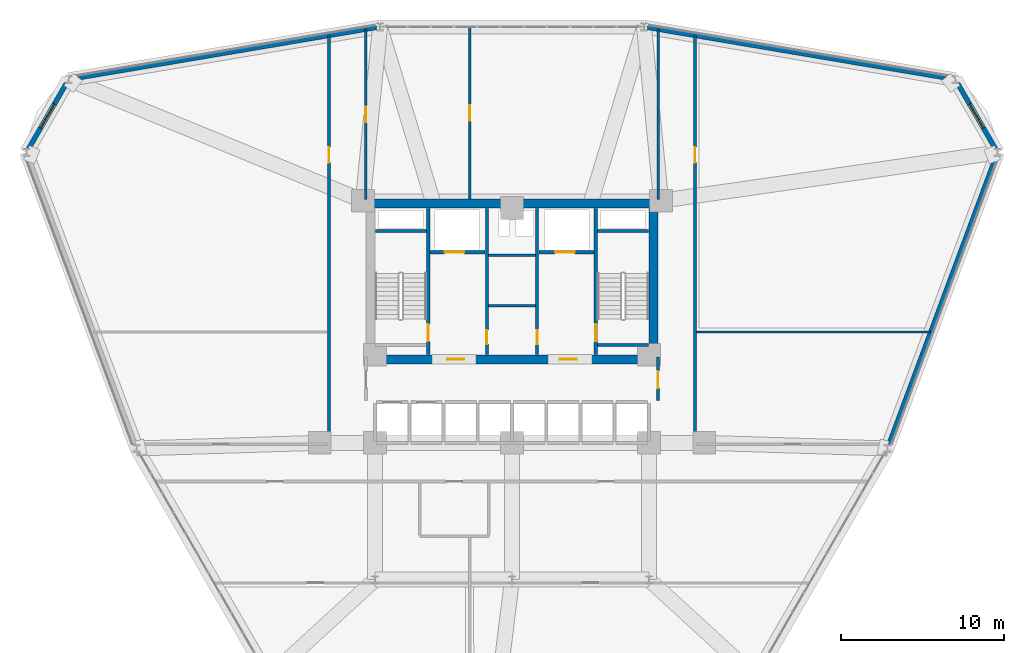
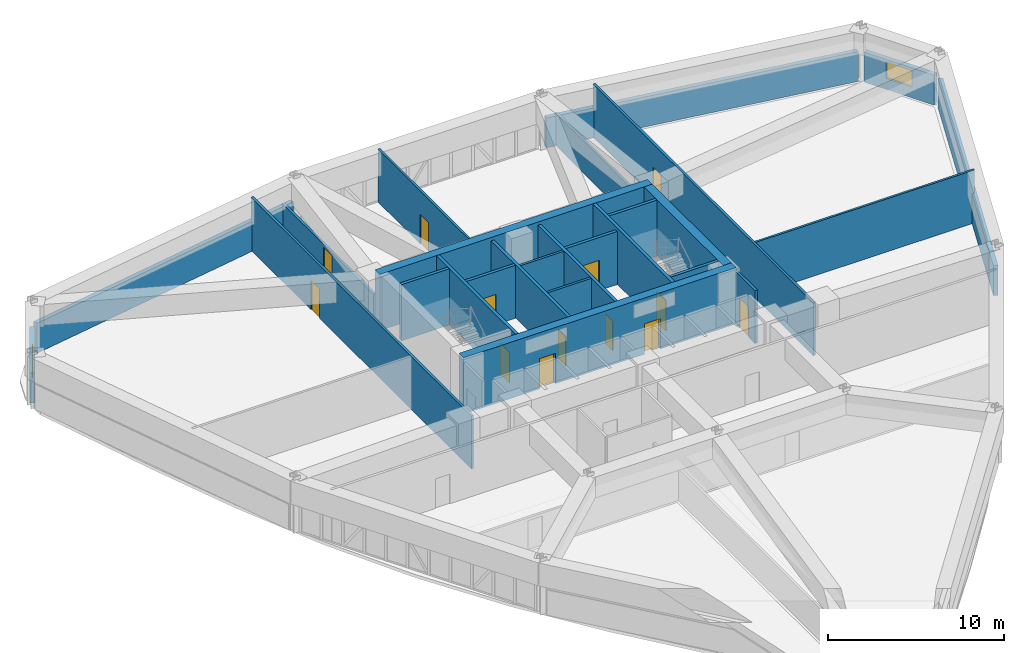
# One storey, part 16 of 20: 26 walls, 13 doors, 2 windows, 15 openings.
"""IFC4 building model written with IfcOpenShell, lengths in metres."""

from ifc_helpers import new_model, si_unit, derived_unit, direction, frame, frame_2d, origin, place, context, subcontext, project, spatial, rectangle, extrude, material, layer, layer_set, type_object, element, fill, save


model = new_model("IFC4")

# Units and contexts
model_context = context("Model", 3, precision=1e-05, world=origin(), true_north=direction((0.0, 1.0)))
body_context = subcontext(model_context, "Body", "Model", "MODEL_VIEW")
ifc_project = project(units=[si_unit("LENGTHUNIT", "METRE"), si_unit("AREAUNIT", "SQUARE_METRE"), si_unit("VOLUMEUNIT", "CUBIC_METRE"), si_unit("PLANEANGLEUNIT", "RADIAN"), si_unit("MASSUNIT", "GRAM", prefix="KILO"), derived_unit("THERMALTRANSMITTANCEUNIT", [(si_unit("POWERUNIT", "WATT"), 1), (si_unit("LENGTHUNIT", "METRE"), -2), (si_unit("THERMODYNAMICTEMPERATUREUNIT", "KELVIN"), -1)])], contexts=[model_context])

# Site, building, storey
site_placement = place(None, origin())
site = spatial("IfcSite", under=ifc_project, at=site_placement, CompositionType="ELEMENT")
building_placement = place(site_placement, origin())
building = spatial("IfcBuilding", under=site, at=building_placement, Name="Korsvarv Bourse and Concert Hall", CompositionType="ELEMENT")
storey_placement = place(building_placement, frame((0.0, 0.0, 31.800048828125)))
storey = spatial("IfcBuildingStorey", under=building, at=storey_placement, Name="L07", CompositionType="ELEMENT", Elevation=31.800048828125)

# Wall, opening, door
ifc_material_1 = material(Name="Concrete C50/60", Category="concrete")
ifc_layer_1 = layer(ifc_material_1, 0.3798828125)
ifc_layer_set_1 = layer_set([ifc_layer_1], Name="Concrete C50/60")
wall_type_1 = type_object("IfcWallType", Name="WL-CORE-380", PredefinedType="SHEAR", material=ifc_layer_set_1)
wall_1_placement = place(storey_placement, frame((30.860107421875, 37.81005859375, 0.0), z_axis=(0.0, 0.0, 1.0), x_axis=(0.0, 1.0, 0.0)))
wall_1 = element("IfcWall", 1, at=wall_1_placement, inside=storey, type_object=wall_type_1, Name="L07 stair shaft structural wall W-L07-ST1-E", PredefinedType="SHEAR", context=body_context, shape_type="SweptSolid", body=[
    extrude(rectangle(XDim=8.97998046875, YDim=0.199951171875, at=frame_2d((4.489990234375, 0.0))), origin(), (0.0, 0.0, 1.0), 3.89990234375),
])
opening_1_placement = place(wall_1_placement, frame((0.820068359375, 0.0, 0.0)))
opening_1 = element("IfcOpeningElement", 2, at=opening_1_placement, cuts=wall_1, Name="Opening D-01", PredefinedType="OPENING", context=body_context, shape_type="SweptSolid", body=[
    extrude(rectangle(XDim=1.050048828125, YDim=2.10009765625, at=frame_2d((0.52490234375, 1.050048828125))), frame((0.0, 0.10986328125, 0.0), z_axis=(0.0, -1.0, 0.0), x_axis=(1.0, 0.0, 0.0)), (0.0, 0.0, 1.0), 0.219970703125),
])
ifc_material_2 = material(Name="Steel S355 fire door", Category="steel")
door_type_1 = type_object("IfcDoorType", Name="DR-FD60", OperationType="NOTDEFINED", PredefinedType="DOOR", material=ifc_material_2)
door_1_placement = place(opening_1_placement, origin())
door_1 = element("IfcDoor", 3, at=door_1_placement, inside=storey, type_object=door_type_1, Name="L07 interior door DR-L07-ST1", OperationType="SINGLE_SWING_LEFT", OverallHeight=2.10009765625, OverallWidth=1.050048828125, PredefinedType="DOOR", context=body_context, shape_type="SweptSolid", body=[
    extrude(rectangle(XDim=1.050048828125, YDim=2.10009765625, at=frame_2d((0.52490234375, 1.050048828125))), frame((0.0, 0.02490234375, 0.0), z_axis=(0.0, -1.0, 0.0), x_axis=(1.0, 0.0, 0.0)), (0.0, 0.0, 1.0), 0.050048828125),
])
fill(opening_1, door_1)

# Wall
wall_2_placement = place(storey_placement, frame((27.610107421875, 45.39990234375, 0.0), z_axis=(0.0, 0.0, 1.0), x_axis=(1.0, 0.0, 0.0)))
element("IfcWall", 4, at=wall_2_placement, inside=storey, type_object=wall_type_1, Name="L07 stair shaft structural wall W-L07-ST1-N", PredefinedType="SHEAR", context=body_context, shape_type="SweptSolid", body=[
    extrude(rectangle(XDim=3.139892578125, YDim=0.199951171875, at=frame_2d((1.56982421875, 0.0))), origin(), (0.0, 0.0, 1.0), 3.89990234375),
])

# Wall, opening, door
wall_3_placement = place(storey_placement, frame((41.139892578125, 37.81005859375, 0.0), z_axis=(0.0, 0.0, 1.0), x_axis=(0.0, 1.0, 0.0)))
wall_3 = element("IfcWall", 5, at=wall_3_placement, inside=storey, type_object=wall_type_1, Name="L07 stair shaft structural wall W-L07-ST2-W", PredefinedType="SHEAR", context=body_context, shape_type="SweptSolid", body=[
    extrude(rectangle(XDim=8.97998046875, YDim=0.199951171875, at=frame_2d((4.489990234375, 0.0))), origin(), (0.0, 0.0, 1.0), 3.89990234375),
])
opening_2_placement = place(wall_3_placement, frame((0.820068359375, 0.0, 0.0)))
opening_2 = element("IfcOpeningElement", 6, at=opening_2_placement, cuts=wall_3, Name="Opening D-01", PredefinedType="OPENING", context=body_context, shape_type="SweptSolid", body=[
    extrude(rectangle(XDim=1.050048828125, YDim=2.10009765625, at=frame_2d((0.52490234375, 1.050048828125))), frame((0.0, 0.10986328125, 0.0), z_axis=(0.0, -1.0, 0.0), x_axis=(1.0, 0.0, 0.0)), (0.0, 0.0, 1.0), 0.219970703125),
])
door_2_placement = place(opening_2_placement, frame((1.050048828125, 0.0, 0.0), z_axis=(0.0, 0.0, 1.0), x_axis=(-1.0, 0.0, 0.0)))
door_2 = element("IfcDoor", 7, at=door_2_placement, inside=storey, type_object=door_type_1, Name="L07 interior door DR-L07-ST2", OperationType="SINGLE_SWING_RIGHT", OverallHeight=2.10009765625, OverallWidth=1.050048828125, PredefinedType="DOOR", context=body_context, shape_type="SweptSolid", body=[
    extrude(rectangle(XDim=1.050048828125, YDim=2.10009765625, at=frame_2d((0.52490234375, 1.050048828125))), frame((0.0, 0.02490234375, 0.0), z_axis=(0.0, -1.0, 0.0), x_axis=(1.0, 0.0, 0.0)), (0.0, 0.0, 1.0), 0.050048828125),
])
fill(opening_2, door_2)

# Walls
for number, where, z_axis, x_axis, name in (
    (8, (41.25, 45.39990234375, 0.0), (0.0, 0.0, 1.0), (1.0, 0.0, 0.0), "L07 stair shaft structural wall W-L07-ST2-N"),
    (9, (41.25, 38.39990234375, 0.0), (0.0, 0.0, 1.0), (1.0, 0.0, 0.0), "L07 stair shaft structural wall W-L07-ST2-S"),
):
    element("IfcWall", number, at=place(storey_placement, frame(where, z_axis=z_axis, x_axis=x_axis)), inside=storey, type_object=wall_type_1, Name=name, PredefinedType="SHEAR", context=body_context, shape_type="SweptSolid", body=[
        extrude(rectangle(XDim=3.139892578125, YDim=0.199951171875, at=frame_2d((1.56982421875, 0.0))), origin(), (0.0, 0.0, 1.0), 3.89990234375),
    ])
ifc_material_3 = material(Name="Concrete C60/75", Category="concrete")
ifc_layer_2 = layer(ifc_material_3, 0.550048828125)
ifc_layer_set_2 = layer_set([ifc_layer_2], Name="Concrete C60/75")
wall_type_2 = type_object("IfcWallType", Name="WL-CORE-550", PredefinedType="SHEAR", material=ifc_layer_set_2)
wall_4_placement = place(storey_placement, frame((27.050048828125, 47.074951171875, 0.0), z_axis=(0.0, 0.0, 1.0), x_axis=(1.0, 0.0, 0.0)))
element("IfcWall", 10, at=wall_4_placement, inside=storey, type_object=wall_type_2, Name="L07 North Core Shear Wall", PredefinedType="SHEAR", context=body_context, shape_type="SweptSolid", body=[
    extrude(rectangle(XDim=17.89990234375, YDim=0.550048828125, at=frame_2d((8.949951171875, 0.0))), origin(), (0.0, 0.0, 1.0), 3.89990234375),
])

# Wall, openings, doors
wall_5_placement = place(storey_placement, frame((27.050048828125, 37.52490234375, 0.0), z_axis=(0.0, 0.0, 1.0), x_axis=(1.0, 0.0, 0.0)))
wall_5 = element("IfcWall", 11, at=wall_5_placement, inside=storey, type_object=wall_type_2, Name="L07 South Core Shear Wall", PredefinedType="SHEAR", context=body_context, shape_type="SweptSolid", body=[
    extrude(rectangle(XDim=17.89990234375, YDim=0.550048828125, at=frame_2d((8.949951171875, 0.0))), origin(), (0.0, 0.0, 1.0), 3.89990234375),
])
opening_3_placement = place(wall_5_placement, frame((4.97509765625, 0.0, 0.0)))
opening_3 = element("IfcOpeningElement", 12, at=opening_3_placement, cuts=wall_5, Name="Opening D-01", PredefinedType="OPENING", context=body_context, shape_type="SweptSolid", body=[
    extrude(rectangle(XDim=1.050048828125, YDim=2.10009765625, at=frame_2d((0.52490234375, 1.050048828125))), frame((0.0, 0.28515625, 0.0), z_axis=(0.0, -1.0, 0.0), x_axis=(1.0, 0.0, 0.0)), (0.0, 0.0, 1.0), 0.570068359375),
])
opening_4_placement = place(wall_5_placement, frame((11.875, 0.0, 0.0)))
opening_4 = element("IfcOpeningElement", 13, at=opening_4_placement, cuts=wall_5, Name="Opening D-01", PredefinedType="OPENING", context=body_context, shape_type="SweptSolid", body=[
    extrude(rectangle(XDim=1.050048828125, YDim=2.10009765625, at=frame_2d((0.52490234375, 1.050048828125))), frame((0.0, 0.28515625, 0.0), z_axis=(0.0, -1.0, 0.0), x_axis=(1.0, 0.0, 0.0)), (0.0, 0.0, 1.0), 0.570068359375),
])
door_3_placement = place(opening_3_placement, frame((1.050048828125, 0.0, 0.0), z_axis=(0.0, 0.0, 1.0), x_axis=(-1.0, 0.0, 0.0)))
door_3 = element("IfcDoor", 14, at=door_3_placement, inside=storey, type_object=door_type_1, Name="L07 firefighting lobby fire door DR-L07-FFLW", OperationType="SINGLE_SWING_RIGHT", OverallHeight=2.10009765625, OverallWidth=1.050048828125, PredefinedType="DOOR", context=body_context, shape_type="SweptSolid", body=[
    extrude(rectangle(XDim=1.050048828125, YDim=2.10009765625, at=frame_2d((0.52490234375, 1.050048828125))), frame((0.0, 0.02490234375, 0.0), z_axis=(0.0, -1.0, 0.0), x_axis=(1.0, 0.0, 0.0)), (0.0, 0.0, 1.0), 0.050048828125),
])
fill(opening_3, door_3)
door_4_placement = place(opening_4_placement, frame((1.050048828125, 0.0, 0.0), z_axis=(0.0, 0.0, 1.0), x_axis=(-1.0, 0.0, 0.0)))
door_4 = element("IfcDoor", 15, at=door_4_placement, inside=storey, type_object=door_type_1, Name="L07 firefighting lobby fire door DR-L07-FFLE", OperationType="SINGLE_SWING_LEFT", OverallHeight=2.10009765625, OverallWidth=1.050048828125, PredefinedType="DOOR", context=body_context, shape_type="SweptSolid", body=[
    extrude(rectangle(XDim=1.050048828125, YDim=2.10009765625, at=frame_2d((0.52490234375, 1.050048828125))), frame((0.0, 0.02490234375, 0.0), z_axis=(0.0, -1.0, 0.0), x_axis=(1.0, 0.0, 0.0)), (0.0, 0.0, 1.0), 0.050048828125),
])
fill(opening_4, door_4)

# Wall
wall_6_placement = place(storey_placement, frame((44.675048828125, 37.800048828125, 0.0), z_axis=(0.0, 0.0, 1.0), x_axis=(0.0, 1.0, 0.0)))
element("IfcWall", 16, at=wall_6_placement, inside=storey, type_object=wall_type_2, Name="L07 East Core Shear Wall", PredefinedType="SHEAR", context=body_context, shape_type="SweptSolid", body=[
    extrude(rectangle(XDim=9.0, YDim=0.550048828125, at=frame_2d((4.5, 0.0))), origin(), (0.0, 0.0, 1.0), 3.89990234375),
])

# Wall, opening, window
ifc_material_4 = material(Name="Precast concrete C45/55 with terracotta rainscreen", Category="concrete")
ifc_layer_3 = layer(ifc_material_4, 0.300048828125)
ifc_layer_set_3 = layer_set([ifc_layer_3], Name="Precast concrete C45/55 with terracotta rainscreen")
wall_type_3 = type_object("IfcWallType", Name="WL-EXT-TC1", PredefinedType="SOLIDWALL", material=ifc_layer_set_3)
wall_7_placement = place(storey_placement, frame((65.64892578125, 50.459228515625, 0.0), z_axis=(0.0, 0.0, 1.0), x_axis=(-0.500022295776, 0.86601253093, 0.0)))
wall_7 = element("IfcWall", 17, at=wall_7_placement, inside=storey, type_object=wall_type_3, Name="L07 terracotta exterior wall EW-L07-B01", PredefinedType="SOLIDWALL", context=body_context, shape_type="SweptSolid", body=[
    extrude(rectangle(XDim=4.604736328125, YDim=0.300048828125, at=frame_2d((2.30224609375, 0.0))), origin(), (0.0, 0.0, 1.0), 2.079833984375),
])
opening_5_placement = place(wall_7_placement, frame((1.452392578125, 0.0, 0.75)))
opening_5 = element("IfcOpeningElement", 18, at=opening_5_placement, cuts=wall_7, Name="Opening W-06", PredefinedType="OPENING", context=body_context, shape_type="SweptSolid", body=[
    extrude(rectangle(XDim=1.699951171875, YDim=1.14990234375, at=frame_2d((0.85009765625, 0.574951171875))), frame((0.0, 0.16015625, 0.0), z_axis=(0.0, -1.0, 0.0), x_axis=(1.0, 0.0, 0.0)), (0.0, 0.0, 1.0), 0.320068359375),
])
ifc_material_5 = material(Name="Thermally broken aluminium frame with triple low-E glass", Category="glass")
window_type = type_object("IfcWindowType", Name="WIN-TW1-1700X1150", PartitioningType="SINGLE_PANEL", PredefinedType="WINDOW", material=ifc_material_5)
window_1_placement = place(opening_5_placement, origin())
window_1 = element("IfcWindow", 19, at=window_1_placement, inside=storey, type_object=window_type, Name="L07 punched facade window W-06", OverallHeight=1.14990234375, OverallWidth=1.699951171875, PartitioningType="SINGLE_PANEL", PredefinedType="WINDOW", context=body_context, shape_type="SweptSolid", body=[
    extrude(rectangle(XDim=1.699951171875, YDim=1.14990234375, at=frame_2d((0.85009765625, 0.574951171875))), frame((0.0, 0.030029296875, 0.0), z_axis=(0.0, -1.0, 0.0), x_axis=(1.0, 0.0, 0.0)), (0.0, 0.0, 1.0), 0.06005859375),
])
fill(opening_5, window_1)

wall_8_placement = place(storey_placement, frame((8.653564453125, 54.447021484375, 0.0), z_axis=(0.0, 0.0, 1.0), x_axis=(-0.500022295776, -0.86601253093, 0.0)))
wall_8 = element("IfcWall", 20, at=wall_8_placement, inside=storey, type_object=wall_type_3, Name="L07 terracotta exterior wall EW-L07-B05", PredefinedType="SOLIDWALL", context=body_context, shape_type="SweptSolid", body=[
    extrude(rectangle(XDim=4.604736328125, YDim=0.300048828125, at=frame_2d((2.30224609375, 0.0))), origin(), (0.0, 0.0, 1.0), 2.079833984375),
])
opening_6_placement = place(wall_8_placement, frame((1.452392578125, 0.0, 0.75)))
opening_6 = element("IfcOpeningElement", 21, at=opening_6_placement, cuts=wall_8, Name="Opening W-06", PredefinedType="OPENING", context=body_context, shape_type="SweptSolid", body=[
    extrude(rectangle(XDim=1.699951171875, YDim=1.14990234375, at=frame_2d((0.85009765625, 0.574951171875))), frame((0.0, 0.16015625, 0.0), z_axis=(0.0, -1.0, 0.0), x_axis=(1.0, 0.0, 0.0)), (0.0, 0.0, 1.0), 0.320068359375),
])
window_2_placement = place(opening_6_placement, origin())
window_2 = element("IfcWindow", 22, at=window_2_placement, inside=storey, type_object=window_type, Name="L07 punched facade window W-06", OverallHeight=1.14990234375, OverallWidth=1.699951171875, PartitioningType="SINGLE_PANEL", PredefinedType="WINDOW", context=body_context, shape_type="SweptSolid", body=[
    extrude(rectangle(XDim=1.699951171875, YDim=1.14990234375, at=frame_2d((0.85009765625, 0.574951171875))), frame((0.0, 0.030029296875, 0.0), z_axis=(0.0, -1.0, 0.0), x_axis=(1.0, 0.0, 0.0)), (0.0, 0.0, 1.0), 0.06005859375),
])
fill(opening_6, window_2)

# Walls
ifc_material_6 = material(Name="Precast concrete C45/55 with fluted terracotta pier", Category="concrete")
ifc_layer_4 = layer(ifc_material_6, 0.280029296875)
ifc_layer_set_4 = layer_set([ifc_layer_4], Name="Precast concrete C45/55 with fluted terracotta pier")
wall_type_4 = type_object("IfcWallType", Name="WL-EXT-TC2", PredefinedType="SOLIDWALL", material=ifc_layer_set_4)
for number, where, z_axis, x_axis, name in (
    (23, (62.98974609375, 54.725830078125, 0.0), (0.0, 0.0, 1.0), (-0.98603202958, 0.166555806393, 0.0), "L07 terracotta exterior wall EW-L07-B02"),
    (24, (27.685546875, 57.88037109375, 0.0), (0.0, 0.0, 1.0), (-0.98603202958, -0.166555806393, 0.0), "L07 terracotta exterior wall EW-L07-B04"),
):
    element("IfcWall", number, at=place(storey_placement, frame(where, z_axis=z_axis, x_axis=x_axis)), inside=storey, type_object=wall_type_4, Name=name, PredefinedType="SOLIDWALL", context=body_context, shape_type="SweptSolid", body=[
        extrude(rectangle(XDim=18.93994140625, YDim=0.280029296875, at=frame_2d((9.469970703125, 0.0))), origin(), (0.0, 0.0, 1.0), 2.079833984375),
    ])
wall_9_placement = place(storey_placement, frame((59.11962890625, 32.296142578125, 0.0), z_axis=(0.0, 0.0, 1.0), x_axis=(0.348763587367, 0.937210734108, 0.0)))
element("IfcWall", 25, at=wall_9_placement, inside=storey, type_object=wall_type_4, Name="L07 terracotta exterior wall EW-L07-B12", PredefinedType="SOLIDWALL", context=body_context, shape_type="SweptSolid", body=[
    extrude(rectangle(XDim=18.86328125, YDim=0.280029296875, at=frame_2d((9.431640625, 0.0))), origin(), (0.0, 0.0, 1.0), 2.079833984375),
])

# Wall, opening, door
ifc_material_7 = material(Name="Reinforced concrete blockwork C35/45 fire wall", Category="concrete")
ifc_layer_5 = layer(ifc_material_7, 0.199951171875)
ifc_layer_set_5 = layer_set([ifc_layer_5], Name="Reinforced concrete blockwork C35/45 fire wall")
wall_type_5 = type_object("IfcWallType", Name="WL-INT-EI120", PredefinedType="PARTITIONING", material=ifc_layer_set_5)
wall_10_placement = place(storey_placement, frame((30.969970703125, 44.10009765625, 0.0), z_axis=(0.0, 0.0, 1.0), x_axis=(1.0, 0.0, 0.0)))
wall_10 = element("IfcWall", 26, at=wall_10_placement, inside=storey, type_object=wall_type_5, Name="L07 interior partition wall W-L07-FF1-S", PredefinedType="PARTITIONING", context=body_context, shape_type="SweptSolid", body=[
    extrude(rectangle(XDim=3.380126953125, YDim=0.199951171875, at=frame_2d((1.68994140625, 0.0))), origin(), (0.0, 0.0, 1.0), 3.679931640625),
])
opening_7_placement = place(wall_10_placement, frame((0.89990234375, 0.0, 0.0)))
opening_7 = element("IfcOpeningElement", 27, at=opening_7_placement, cuts=wall_10, Name="Opening LD-1", PredefinedType="OPENING", context=body_context, shape_type="SweptSolid", body=[
    extrude(rectangle(XDim=1.199951171875, YDim=2.10009765625, at=frame_2d((0.60009765625, 1.050048828125))), frame((0.0, 0.10986328125, 0.0), z_axis=(0.0, -1.0, 0.0), x_axis=(1.0, 0.0, 0.0)), (0.0, 0.0, 1.0), 0.219970703125),
])
ifc_material_8 = material(Name="Stainless Steel S355 firefighting lift landing door", Category="steel")
door_type_2 = type_object("IfcDoorType", Name="DR-LIFT-FF", OperationType="DOUBLE_DOOR_SLIDING", PredefinedType="DOOR", material=ifc_material_8)
door_5_placement = place(opening_7_placement, origin())
door_5 = element("IfcDoor", 28, at=door_5_placement, inside=storey, type_object=door_type_2, Name="L07 lift sliding landing door LD-L07-FF1", OperationType="DOUBLE_DOOR_SLIDING", OverallHeight=2.10009765625, OverallWidth=1.199951171875, PredefinedType="DOOR", context=body_context, shape_type="SweptSolid", body=[
    extrude(rectangle(XDim=1.199951171875, YDim=2.10009765625, at=frame_2d((0.60009765625, 1.050048828125))), frame((0.0, 0.02490234375, 0.0), z_axis=(0.0, -1.0, 0.0), x_axis=(1.0, 0.0, 0.0)), (0.0, 0.0, 1.0), 0.050048828125),
])
fill(opening_7, door_5)

wall_11_placement = place(storey_placement, frame((37.64990234375, 44.10009765625, 0.0), z_axis=(0.0, 0.0, 1.0), x_axis=(1.0, 0.0, 0.0)))
wall_11 = element("IfcWall", 29, at=wall_11_placement, inside=storey, type_object=wall_type_5, Name="L07 interior partition wall W-L07-FF2-S", PredefinedType="PARTITIONING", context=body_context, shape_type="SweptSolid", body=[
    extrude(rectangle(XDim=3.380126953125, YDim=0.199951171875, at=frame_2d((1.68994140625, 0.0))), origin(), (0.0, 0.0, 1.0), 3.679931640625),
])
opening_8_placement = place(wall_11_placement, frame((1.0, 0.0, 0.0)))
opening_8 = element("IfcOpeningElement", 30, at=opening_8_placement, cuts=wall_11, Name="Opening LD-1", PredefinedType="OPENING", context=body_context, shape_type="SweptSolid", body=[
    extrude(rectangle(XDim=1.199951171875, YDim=2.10009765625, at=frame_2d((0.60009765625, 1.050048828125))), frame((0.0, 0.10986328125, 0.0), z_axis=(0.0, -1.0, 0.0), x_axis=(1.0, 0.0, 0.0)), (0.0, 0.0, 1.0), 0.219970703125),
])
door_6_placement = place(opening_8_placement, origin())
door_6 = element("IfcDoor", 31, at=door_6_placement, inside=storey, type_object=door_type_2, Name="L07 lift sliding landing door LD-L07-FF2", OperationType="DOUBLE_DOOR_SLIDING", OverallHeight=2.10009765625, OverallWidth=1.199951171875, PredefinedType="DOOR", context=body_context, shape_type="SweptSolid", body=[
    extrude(rectangle(XDim=1.199951171875, YDim=2.10009765625, at=frame_2d((0.60009765625, 1.050048828125))), frame((0.0, 0.02490234375, 0.0), z_axis=(0.0, -1.0, 0.0), x_axis=(1.0, 0.0, 0.0)), (0.0, 0.0, 1.0), 0.050048828125),
])
fill(opening_8, door_6)

wall_12_placement = place(storey_placement, frame((34.4599609375, 37.81005859375, 0.0), z_axis=(0.0, 0.0, 1.0), x_axis=(0.0, 1.0, 0.0)))
wall_12 = element("IfcWall", 32, at=wall_12_placement, inside=storey, type_object=wall_type_5, Name="L07 interior partition wall W-L07-CSB-W", PredefinedType="PARTITIONING", context=body_context, shape_type="SweptSolid", body=[
    extrude(rectangle(XDim=8.97998046875, YDim=0.199951171875, at=frame_2d((4.489990234375, 0.0))), origin(), (0.0, 0.0, 1.0), 3.679931640625),
])
opening_9_placement = place(wall_12_placement, frame((0.64990234375, 0.0, 0.0)))
opening_9 = element("IfcOpeningElement", 33, at=opening_9_placement, cuts=wall_12, Name="Opening D-05", PredefinedType="OPENING", context=body_context, shape_type="SweptSolid", body=[
    extrude(rectangle(XDim=0.85009765625, YDim=2.050048828125, at=frame_2d((0.425048828125, 1.02490234375))), frame((0.0, 0.10986328125, 0.0), z_axis=(0.0, -1.0, 0.0), x_axis=(1.0, 0.0, 0.0)), (0.0, 0.0, 1.0), 0.219970703125),
])
door_type_3 = type_object("IfcDoorType", Name="DR-FD60-850X2050", OperationType="NOTDEFINED", PredefinedType="DOOR", material=ifc_material_2)
door_7_placement = place(opening_9_placement, frame((0.85009765625, 0.0, 0.0), z_axis=(0.0, 0.0, 1.0), x_axis=(-1.0, 0.0, 0.0)))
door_7 = element("IfcDoor", 34, at=door_7_placement, inside=storey, type_object=door_type_3, Name="L07 interior door DR-L07-CSB1", OperationType="SINGLE_SWING_LEFT", OverallHeight=2.050048828125, OverallWidth=0.85009765625, PredefinedType="DOOR", context=body_context, shape_type="SweptSolid", body=[
    extrude(rectangle(XDim=0.85009765625, YDim=2.050048828125, at=frame_2d((0.425048828125, 1.02490234375))), frame((0.0, 0.02490234375, 0.0), z_axis=(0.0, -1.0, 0.0), x_axis=(1.0, 0.0, 0.0)), (0.0, 0.0, 1.0), 0.050048828125),
])
fill(opening_9, door_7)

wall_13_placement = place(storey_placement, frame((37.5400390625, 37.81005859375, 0.0), z_axis=(0.0, 0.0, 1.0), x_axis=(0.0, 1.0, 0.0)))
wall_13 = element("IfcWall", 35, at=wall_13_placement, inside=storey, type_object=wall_type_5, Name="L07 interior partition wall W-L07-CSB-E", PredefinedType="PARTITIONING", context=body_context, shape_type="SweptSolid", body=[
    extrude(rectangle(XDim=8.97998046875, YDim=0.199951171875, at=frame_2d((4.489990234375, 0.0))), origin(), (0.0, 0.0, 1.0), 3.679931640625),
])
opening_10_placement = place(wall_13_placement, frame((0.64990234375, 0.0, 0.0)))
opening_10 = element("IfcOpeningElement", 36, at=opening_10_placement, cuts=wall_13, Name="Opening D-05", PredefinedType="OPENING", context=body_context, shape_type="SweptSolid", body=[
    extrude(rectangle(XDim=0.85009765625, YDim=2.050048828125, at=frame_2d((0.425048828125, 1.02490234375))), frame((0.0, 0.10986328125, 0.0), z_axis=(0.0, -1.0, 0.0), x_axis=(1.0, 0.0, 0.0)), (0.0, 0.0, 1.0), 0.219970703125),
])
door_8_placement = place(opening_10_placement, origin())
door_8 = element("IfcDoor", 37, at=door_8_placement, inside=storey, type_object=door_type_3, Name="L07 interior door DR-L07-CSB2", OperationType="SINGLE_SWING_RIGHT", OverallHeight=2.050048828125, OverallWidth=0.85009765625, PredefinedType="DOOR", context=body_context, shape_type="SweptSolid", body=[
    extrude(rectangle(XDim=0.85009765625, YDim=2.050048828125, at=frame_2d((0.425048828125, 1.02490234375))), frame((0.0, 0.02490234375, 0.0), z_axis=(0.0, -1.0, 0.0), x_axis=(1.0, 0.0, 0.0)), (0.0, 0.0, 1.0), 0.050048828125),
])
fill(opening_10, door_8)

# Walls
ifc_material_9 = material(Name="Double-stud fire-rated acoustic partition", Category="gypsum")
ifc_layer_6 = layer(ifc_material_9, 0.159912109375)
ifc_layer_set_6 = layer_set([ifc_layer_6], Name="Double-stud fire-rated acoustic partition")
wall_type_6 = type_object("IfcWallType", Name="WL-INT-EI60", PredefinedType="PARTITIONING", material=ifc_layer_set_6)
for number, where, z_axis, x_axis, name in (
    (38, (34.570068359375, 40.800048828125, 0.0), (0.0, 0.0, 1.0), (1.0, 0.0, 0.0), "L07 interior partition wall W-L07-K1"),
    (39, (34.570068359375, 43.89990234375, 0.0), (0.0, 0.0, 1.0), (1.0, 0.0, 0.0), "L07 interior partition wall W-L07-K2"),
):
    element("IfcWall", number, at=place(storey_placement, frame(where, z_axis=z_axis, x_axis=x_axis)), inside=storey, type_object=wall_type_6, Name=name, PredefinedType="PARTITIONING", context=body_context, shape_type="SweptSolid", body=[
        extrude(rectangle(XDim=2.85986328125, YDim=0.159912109375, at=frame_2d((1.429931640625, 0.0))), origin(), (0.0, 0.0, 1.0), 3.679931640625),
    ])

# Wall, opening, door
wall_14_placement = place(storey_placement, frame((44.9599609375, 35.0, 0.0), z_axis=(0.0, 0.0, 1.0), x_axis=(0.0, 1.0, 0.0)))
wall_14 = element("IfcWall", 40, at=wall_14_placement, inside=storey, type_object=wall_type_6, Name="L07 interior partition wall W-L07-LOB-E", PredefinedType="PARTITIONING", context=body_context, shape_type="SweptSolid", body=[
    extrude(rectangle(XDim=2.64990234375, YDim=0.159912109375, at=frame_2d((1.324951171875, 0.0))), origin(), (0.0, 0.0, 1.0), 3.679931640625),
])
opening_11_placement = place(wall_14_placement, frame((0.75, 0.0, 0.0)))
opening_11 = element("IfcOpeningElement", 41, at=opening_11_placement, cuts=wall_14, Name="Opening D-01", PredefinedType="OPENING", context=body_context, shape_type="SweptSolid", body=[
    extrude(rectangle(XDim=1.050048828125, YDim=2.10009765625, at=frame_2d((0.52490234375, 1.050048828125))), frame((0.0, 0.08984375, 0.0), z_axis=(0.0, -1.0, 0.0), x_axis=(1.0, 0.0, 0.0)), (0.0, 0.0, 1.0), 0.179931640625),
])
door_9_placement = place(opening_11_placement, origin())
door_9 = element("IfcDoor", 42, at=door_9_placement, inside=storey, type_object=door_type_1, Name="L07 interior door DR-L07-LOBE", OperationType="SINGLE_SWING_RIGHT", OverallHeight=2.10009765625, OverallWidth=1.050048828125, PredefinedType="DOOR", context=body_context, shape_type="SweptSolid", body=[
    extrude(rectangle(XDim=1.050048828125, YDim=2.10009765625, at=frame_2d((0.52490234375, 1.050048828125))), frame((0.0, 0.02490234375, 0.0), z_axis=(0.0, -1.0, 0.0), x_axis=(1.0, 0.0, 0.0)), (0.0, 0.0, 1.0), 0.050048828125),
])
fill(opening_11, door_9)

wall_15_placement = place(storey_placement, frame((47.22509765625, 32.31005859375, 0.0), z_axis=(0.0, 0.0, 1.0), x_axis=(0.0, 1.0, 0.0)))
wall_15 = element("IfcWall", 43, at=wall_15_placement, inside=storey, type_object=wall_type_6, Name="L07 interior partition wall W-L07-TCOR-02", PredefinedType="PARTITIONING", context=body_context, shape_type="SweptSolid", body=[
    extrude(rectangle(XDim=25.058837890625, YDim=0.159912109375, at=frame_2d((12.529296875, 0.0))), origin(), (0.0, 0.0, 1.0), 3.679931640625),
])
opening_12_placement = place(wall_15_placement, frame((17.28662109375, 0.0, 0.0)))
opening_12 = element("IfcOpeningElement", 44, at=opening_12_placement, cuts=wall_15, Name="Opening D-02", PredefinedType="OPENING", context=body_context, shape_type="SweptSolid", body=[
    extrude(rectangle(XDim=0.949951171875, YDim=2.050048828125, at=frame_2d((0.47509765625, 1.02490234375))), frame((0.0, 0.08984375, 0.0), z_axis=(0.0, -1.0, 0.0), x_axis=(1.0, 0.0, 0.0)), (0.0, 0.0, 1.0), 0.179931640625),
])
ifc_material_10 = material(Name="Timber and steel acoustic fire door", Category="wood")
door_type_4 = type_object("IfcDoorType", Name="DR-FD30", OperationType="NOTDEFINED", PredefinedType="DOOR", material=ifc_material_10)
door_10_placement = place(opening_12_placement, origin())
door_10 = element("IfcDoor", 45, at=door_10_placement, inside=storey, type_object=door_type_4, Name="L07 interior door DR-L07-TCOR-EQ82", OperationType="SINGLE_SWING_RIGHT", OverallHeight=2.050048828125, OverallWidth=0.949951171875, PredefinedType="DOOR", context=body_context, shape_type="SweptSolid", body=[
    extrude(rectangle(XDim=0.949951171875, YDim=2.050048828125, at=frame_2d((0.47509765625, 1.02490234375))), frame((0.0, 0.02490234375, 0.0), z_axis=(0.0, -1.0, 0.0), x_axis=(1.0, 0.0, 0.0)), (0.0, 0.0, 1.0), 0.050048828125),
])
fill(opening_12, door_10)

wall_16_placement = place(storey_placement, frame((24.77490234375, 32.31005859375, 0.0), z_axis=(0.0, 0.0, 1.0), x_axis=(0.0, 1.0, 0.0)))
wall_16 = element("IfcWall", 46, at=wall_16_placement, inside=storey, type_object=wall_type_6, Name="L07 interior partition wall W-L07-TCOR-03", PredefinedType="PARTITIONING", context=body_context, shape_type="SweptSolid", body=[
    extrude(rectangle(XDim=25.058837890625, YDim=0.159912109375, at=frame_2d((12.529296875, 0.0))), origin(), (0.0, 0.0, 1.0), 3.679931640625),
])
opening_13_placement = place(wall_16_placement, frame((17.28662109375, 0.0, 0.0)))
opening_13 = element("IfcOpeningElement", 47, at=opening_13_placement, cuts=wall_16, Name="Opening D-02", PredefinedType="OPENING", context=body_context, shape_type="SweptSolid", body=[
    extrude(rectangle(XDim=0.949951171875, YDim=2.050048828125, at=frame_2d((0.47509765625, 1.02490234375))), frame((0.0, 0.08984375, 0.0), z_axis=(0.0, -1.0, 0.0), x_axis=(1.0, 0.0, 0.0)), (0.0, 0.0, 1.0), 0.179931640625),
])
door_11_placement = place(opening_13_placement, origin())
door_11 = element("IfcDoor", 48, at=door_11_placement, inside=storey, type_object=door_type_4, Name="L07 interior door DR-L07-TCOR-EQ610", OperationType="SINGLE_SWING_LEFT", OverallHeight=2.050048828125, OverallWidth=0.949951171875, PredefinedType="DOOR", context=body_context, shape_type="SweptSolid", body=[
    extrude(rectangle(XDim=0.949951171875, YDim=2.050048828125, at=frame_2d((0.47509765625, 1.02490234375))), frame((0.0, 0.02490234375, 0.0), z_axis=(0.0, -1.0, 0.0), x_axis=(1.0, 0.0, 0.0)), (0.0, 0.0, 1.0), 0.050048828125),
])
fill(opening_13, door_11)

wall_17_placement = place(storey_placement, frame((27.034912109375, 47.340087890625, 0.0), z_axis=(0.0, 0.0, 1.0), x_axis=(0.0, 1.0, 0.0)))
wall_17 = element("IfcWall", 49, at=wall_17_placement, inside=storey, type_object=wall_type_6, Name="L07 interior partition wall W-L07-TCOR-06", PredefinedType="PARTITIONING", context=body_context, shape_type="SweptSolid", body=[
    extrude(rectangle(XDim=10.410400390625, YDim=0.159912109375, at=frame_2d((5.205078125, 0.0))), origin(), (0.0, 0.0, 1.0), 2.239990234375),
])
opening_14_placement = place(wall_17_placement, frame((4.730224609375, 0.0, 0.0)))
opening_14 = element("IfcOpeningElement", 50, at=opening_14_placement, cuts=wall_17, Name="Opening D-02", PredefinedType="OPENING", context=body_context, shape_type="SweptSolid", body=[
    extrude(rectangle(XDim=0.949951171875, YDim=2.050048828125, at=frame_2d((0.47509765625, 1.02490234375))), frame((0.0, 0.08984375, 0.0), z_axis=(0.0, -1.0, 0.0), x_axis=(1.0, 0.0, 0.0)), (0.0, 0.0, 1.0), 0.179931640625),
])
door_12_placement = place(opening_14_placement, origin())
door_12 = element("IfcDoor", 51, at=door_12_placement, inside=storey, type_object=door_type_4, Name="L07 interior door DR-L07-TCOR-RM77", OperationType="SINGLE_SWING_RIGHT", OverallHeight=2.050048828125, OverallWidth=0.949951171875, PredefinedType="DOOR", context=body_context, shape_type="SweptSolid", body=[
    extrude(rectangle(XDim=0.949951171875, YDim=2.050048828125, at=frame_2d((0.47509765625, 1.02490234375))), frame((0.0, 0.02490234375, 0.0), z_axis=(0.0, -1.0, 0.0), x_axis=(1.0, 0.0, 0.0)), (0.0, 0.0, 1.0), 0.050048828125),
])
fill(opening_14, door_12)

# Walls
wall_18_placement = place(storey_placement, frame((44.965087890625, 47.340087890625, 0.0), z_axis=(0.0, 0.0, 1.0), x_axis=(0.0, 1.0, 0.0)))
element("IfcWall", 52, at=wall_18_placement, inside=storey, type_object=wall_type_6, Name="L07 interior partition wall W-L07-TCOR-07", PredefinedType="PARTITIONING", context=body_context, shape_type="SweptSolid", body=[
    extrude(rectangle(XDim=10.410400390625, YDim=0.159912109375, at=frame_2d((5.205078125, 0.0))), origin(), (0.0, 0.0, 1.0), 2.239990234375),
])
ifc_material_11 = material(Name="Insulated steel-stud office acoustic partition", Category="gypsum")
ifc_layer_7 = layer(ifc_material_11, 0.139892578125)
ifc_layer_set_7 = layer_set([ifc_layer_7], Name="Insulated steel-stud office acoustic partition")
wall_type_7 = type_object("IfcWallType", Name="WL-INT-P1", PredefinedType="PARTITIONING", material=ifc_layer_set_7)
wall_19_placement = place(storey_placement, frame((47.306884765625, 39.205078125, 0.0), z_axis=(0.0, 0.0, 1.0), x_axis=(1.0, 0.0, 0.0)))
element("IfcWall", 53, at=wall_19_placement, inside=storey, type_object=wall_type_7, Name="L07 interior partition wall W-L07-TCOR-11", PredefinedType="PARTITIONING", context=body_context, shape_type="SweptSolid", body=[
    extrude(rectangle(XDim=14.36376953125, YDim=0.139892578125, at=frame_2d((7.181884765625, 0.0))), origin(), (0.0, 0.0, 1.0), 3.679931640625),
])

# Wall, opening, door
wall_20_placement = place(storey_placement, frame((33.405029296875, 47.35205078125, 0.0), z_axis=(0.0, 0.0, 1.0), x_axis=(0.0, 1.0, 0.0)))
wall_20 = element("IfcWall", 54, at=wall_20_placement, inside=storey, type_object=wall_type_7, Name="L07 interior partition wall W-L07-TCOR-12", PredefinedType="PARTITIONING", context=body_context, shape_type="SweptSolid", body=[
    extrude(rectangle(XDim=10.545166015625, YDim=0.139892578125, at=frame_2d((5.2724609375, 0.0))), origin(), (0.0, 0.0, 1.0), 3.679931640625),
])
opening_15_placement = place(wall_20_placement, frame((4.797607421875, 0.0, 0.0)))
opening_15 = element("IfcOpeningElement", 55, at=opening_15_placement, cuts=wall_20, Name="Opening D-03", PredefinedType="OPENING", context=body_context, shape_type="SweptSolid", body=[
    extrude(rectangle(XDim=0.949951171875, YDim=2.050048828125, at=frame_2d((0.47509765625, 1.02490234375))), frame((0.0, 0.080078125, 0.0), z_axis=(0.0, -1.0, 0.0), x_axis=(1.0, 0.0, 0.0)), (0.0, 0.0, 1.0), 0.159912109375),
])
ifc_material_12 = material(Name="Nordic oak acoustic office door", Category="wood")
door_type_5 = type_object("IfcDoorType", Name="DR-INT-1", OperationType="NOTDEFINED", PredefinedType="DOOR", material=ifc_material_12)
door_13_placement = place(opening_15_placement, origin())
door_13 = element("IfcDoor", 56, at=door_13_placement, inside=storey, type_object=door_type_5, Name="L07 interior door DR-L07-TCOR-RM88", OperationType="SINGLE_SWING_LEFT", OverallHeight=2.050048828125, OverallWidth=0.949951171875, PredefinedType="DOOR", context=body_context, shape_type="SweptSolid", body=[
    extrude(rectangle(XDim=0.949951171875, YDim=2.050048828125, at=frame_2d((0.47509765625, 1.02490234375))), frame((0.0, 0.02490234375, 0.0), z_axis=(0.0, -1.0, 0.0), x_axis=(1.0, 0.0, 0.0)), (0.0, 0.0, 1.0), 0.050048828125),
])
fill(opening_15, door_13)

save(model, "model.ifc")
